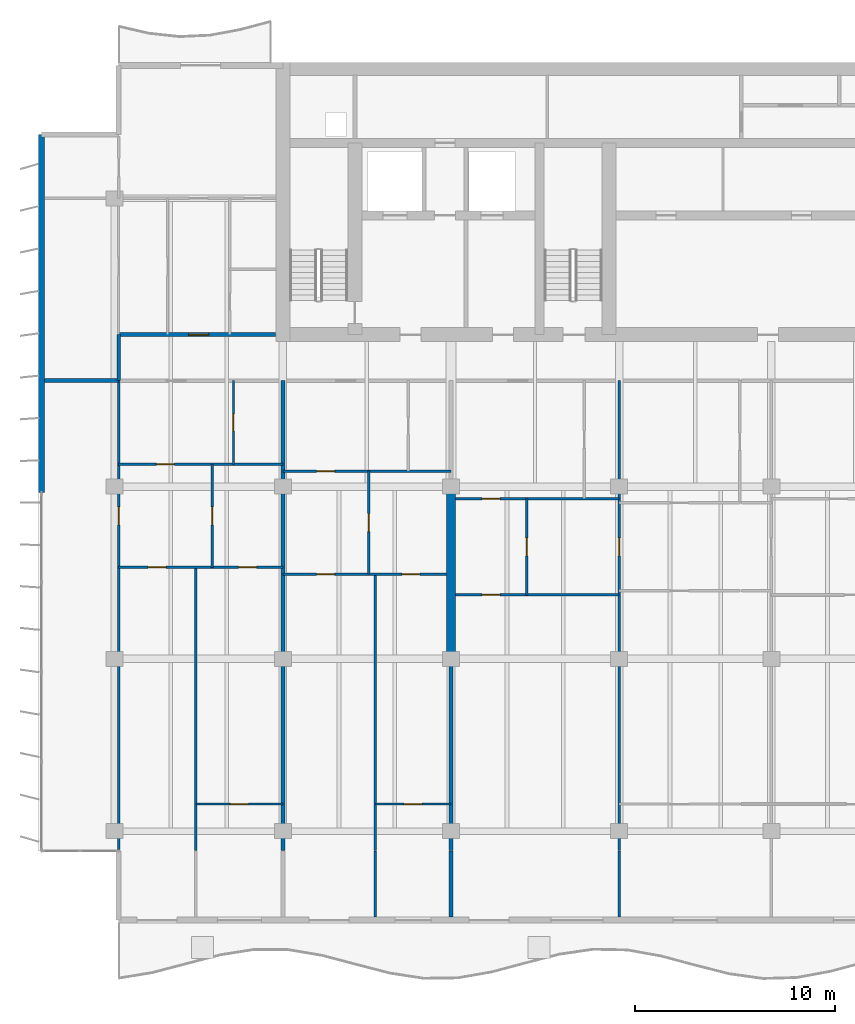
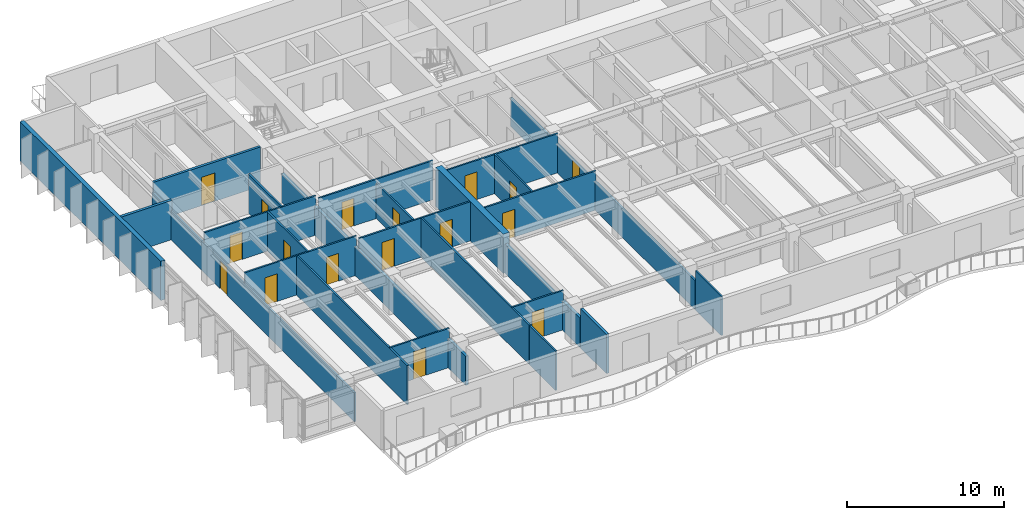
# One storey, part 8 of 17: 26 walls, 17 doors, 17 openings.
"""IFC4 building model written with IfcOpenShell, lengths in metres."""

from ifc_helpers import new_model, si_unit, direction, frame, frame_2d, origin, place, context, subcontext, project, spatial, rectangle, extrude, material, layer, layer_set, type_object, element, fill, save


model = new_model("IFC4")

# Units and contexts
model_context = context("Model", 3, precision=1e-05, world=origin(), true_north=direction((0.0, 1.0)))
body_context = subcontext(model_context, "Body", "Model", "MODEL_VIEW")
ifc_project = project(units=[si_unit("LENGTHUNIT", "METRE"), si_unit("AREAUNIT", "SQUARE_METRE"), si_unit("VOLUMEUNIT", "CUBIC_METRE"), si_unit("PLANEANGLEUNIT", "RADIAN"), si_unit("MASSUNIT", "GRAM", prefix="KILO")], contexts=[model_context])

# Site, building, storey
site_placement = place(None, origin())
site = spatial("IfcSite", under=ifc_project, at=site_placement, CompositionType="ELEMENT")
building_placement = place(site_placement, origin())
building = spatial("IfcBuilding", under=site, at=building_placement, Name="Caelmar Bay Residences", CompositionType="ELEMENT")
storey_placement = place(building_placement, frame((0.0, 0.0, 201.60009765625)))
storey = spatial("IfcBuildingStorey", under=building, at=storey_placement, Name="L56", CompositionType="ELEMENT", Elevation=201.60009765625)

# Walls
ifc_material_1 = material(Name="Concrete f'c 55 MPa (8,000 psi)", Category="concrete")
ifc_layer_1 = layer(ifc_material_1, 0.449951171875)
ifc_layer_set_1 = layer_set([ifc_layer_1], Name="Concrete f'c 55 MPa (8,000 psi)")
wall_type_1 = type_object("IfcWallType", Name="SW-XSLB-450", PredefinedType="SHEAR", material=ifc_layer_set_1)
wall_1_placement = place(storey_placement, frame((26.699951171875, 20.800048828125, 0.0), z_axis=(0.0, 0.0, 1.0), x_axis=(0.0, 1.0, 0.0)))
element("IfcWall", 1, at=wall_1_placement, inside=storey, type_object=wall_type_1, Name="L56 Transverse Cross-Slab Shear Wall W5", PredefinedType="SHEAR", context=body_context, shape_type="SweptSolid", body=[
    extrude(rectangle(XDim=8.599853515625, YDim=0.449951171875, at=frame_2d((4.2998046875, 0.0))), origin(), (0.0, 0.0, 1.0), 3.0498046875),
])
ifc_material_2 = material(Name="Double-stud acoustic fire-rated gypsum partition 180 mm")
ifc_layer_2 = layer(ifc_material_2, 0.179931640625)
ifc_layer_set_2 = layer_set([ifc_layer_2], Name="Double-stud acoustic fire-rated gypsum partition 180 mm")
wall_type_2 = type_object("IfcWallType", Name="W-COR-200", PredefinedType="PARTITIONING", material=ifc_layer_set_2)
wall_2_placement = place(storey_placement, frame((10.10009765625, 34.705078125, 0.0), z_axis=(0.0, 0.0, 1.0), x_axis=(0.0, 1.0, 0.0)))
element("IfcWall", 2, at=wall_2_placement, inside=storey, type_object=wall_type_2, Name="L56 Partition Wall V002", PredefinedType="PARTITIONING", context=body_context, shape_type="SweptSolid", body=[
    extrude(rectangle(XDim=2.294921875, YDim=0.179931640625, at=frame_2d((1.1474609375, 0.0))), origin(), (0.0, 0.0, 1.0), 2.262939453125),
])

# Wall, opening, door
wall_3_placement = place(storey_placement, frame((10.10009765625, 37.0, 0.0), z_axis=(0.0, 0.0, 1.0), x_axis=(1.0, 0.0, 0.0)))
wall_3 = element("IfcWall", 3, at=wall_3_placement, inside=storey, type_object=wall_type_2, Name="L56 Partition Wall H081", PredefinedType="PARTITIONING", context=body_context, shape_type="SweptSolid", body=[
    extrude(rectangle(XDim=7.844970703125, YDim=0.179931640625, at=frame_2d((3.92236328125, 0.0))), origin(), (0.0, 0.0, 1.0), 3.0498046875),
])
opening_1_placement = place(wall_3_placement, frame((3.49609375, 0.0, 0.0)))
opening_1 = element("IfcOpeningElement", 4, at=opening_1_placement, cuts=wall_3, Name="Opening D-L56-164", PredefinedType="OPENING", context=body_context, shape_type="SweptSolid", body=[
    extrude(rectangle(XDim=1.0, YDim=2.199951171875, at=frame_2d((0.5, 1.10009765625))), frame((0.0, 0.099853515625, 0.0), z_axis=(0.0, -1.0, 0.0), x_axis=(1.0, 0.0, 0.0)), (0.0, 0.0, 1.0), 0.199951171875),
])
ifc_material_3 = material(Name="Fire-rated steel and walnut architectural door assembly", Category="steel")
ifc_layer_3 = layer(ifc_material_3, 0.050048828125)
ifc_layer_set_3 = layer_set([ifc_layer_3], Name="Fire-rated steel and walnut architectural door assembly")
door_type_1 = type_object("IfcDoorType", Name="D-UNIT-1000", OperationType="NOTDEFINED", PredefinedType="DOOR", material=ifc_layer_set_3)
door_1_placement = place(opening_1_placement, origin())
door_1 = element("IfcDoor", 5, at=door_1_placement, inside=storey, type_object=door_type_1, Name="L56 Residence WA Kitchen Door", OperationType="SINGLE_SWING_RIGHT", OverallHeight=2.199951171875, OverallWidth=1.0, PredefinedType="DOOR", context=body_context, shape_type="SweptSolid", body=[
    extrude(rectangle(XDim=1.0, YDim=2.199951171875, at=frame_2d((0.5, 1.10009765625))), frame((0.0, 0.02490234375, 0.0), z_axis=(0.0, -1.0, 0.0), x_axis=(1.0, 0.0, 0.0)), (0.0, 0.0, 1.0), 0.050048828125),
])
fill(opening_1, door_1)

# Wall
ifc_material_4 = material(Name="Precast concrete f'c 40 MPa (6,000 psi)", Category="concrete")
ifc_layer_4 = layer(ifc_material_4, 0.300048828125)
ifc_layer_set_4 = layer_set([ifc_layer_4], Name="Precast concrete f'c 40 MPa (6,000 psi)")
wall_type_3 = type_object("IfcWallType", Name="W-EXT-300", PredefinedType="STANDARD", material=ifc_layer_set_4)
wall_4_placement = place(storey_placement, frame((6.25, 29.10009765625, 0.0), z_axis=(0.0, 0.0, 1.0), x_axis=(0.0, 1.0, 0.0)))
element("IfcWall", 6, at=wall_4_placement, inside=storey, type_object=wall_type_3, Name="L56 West Rear Exterior Wall", PredefinedType="STANDARD", context=body_context, shape_type="SweptSolid", body=[
    extrude(rectangle(XDim=17.89990234375, YDim=0.300048828125, at=frame_2d((8.949951171875, 0.0))), origin(), (0.0, 0.0, 1.0), 3.0498046875),
])

# Wall, opening, door
ifc_material_5 = material(Name="Acoustic metal-stud gypsum partition 120 mm")
ifc_layer_5 = layer(ifc_material_5, 0.1201171875)
ifc_layer_set_5 = layer_set([ifc_layer_5], Name="Acoustic metal-stud gypsum partition 120 mm")
wall_type_4 = type_object("IfcWallType", Name="W-PRT-120", PredefinedType="PARTITIONING", material=ifc_layer_set_5)
wall_5_placement = place(storey_placement, frame((10.10009765625, 11.284912109375, 0.0), z_axis=(0.0, 0.0, 1.0), x_axis=(0.0, 1.0, 0.0)))
wall_5 = element("IfcWall", 7, at=wall_5_placement, inside=storey, type_object=wall_type_4, Name="L56 Partition Wall V001", PredefinedType="PARTITIONING", context=body_context, shape_type="SweptSolid", body=[
    extrude(rectangle(XDim=23.4150390625, YDim=0.1201171875, at=frame_2d((11.70751953125, 0.0))), origin(), (0.0, 0.0, 1.0), 2.262939453125),
])
opening_2_placement = place(wall_5_placement, frame((16.2099609375, 0.0, 0.0)))
opening_2 = element("IfcOpeningElement", 8, at=opening_2_placement, cuts=wall_5, Name="Opening D-L56-161", PredefinedType="OPENING", context=body_context, shape_type="SweptSolid", body=[
    extrude(rectangle(XDim=0.89990234375, YDim=2.14990234375, at=frame_2d((0.449951171875, 1.074951171875))), frame((0.0, 0.070068359375, 0.0), z_axis=(0.0, -1.0, 0.0), x_axis=(1.0, 0.0, 0.0)), (0.0, 0.0, 1.0), 0.14013671875),
])
ifc_material_6 = material(Name="Solid walnut timber interior door leaf and frame", Category="wood")
ifc_layer_6 = layer(ifc_material_6, 0.050048828125)
ifc_layer_set_6 = layer_set([ifc_layer_6], Name="Solid walnut timber interior door leaf and frame")
door_type_2 = type_object("IfcDoorType", Name="D-ROOM-900", OperationType="NOTDEFINED", PredefinedType="DOOR", material=ifc_layer_set_6)
door_2_placement = place(opening_2_placement, origin())
door_2 = element("IfcDoor", 9, at=door_2_placement, inside=storey, type_object=door_type_2, Name="L56 Residence 01 Penthouse West Salon Door", OperationType="SINGLE_SWING_LEFT", OverallHeight=2.14990234375, OverallWidth=0.89990234375, PredefinedType="DOOR", context=body_context, shape_type="SweptSolid", body=[
    extrude(rectangle(XDim=0.89990234375, YDim=2.14990234375, at=frame_2d((0.449951171875, 1.074951171875))), frame((0.0, 0.02490234375, 0.0), z_axis=(0.0, -1.0, 0.0), x_axis=(1.0, 0.0, 0.0)), (0.0, 0.0, 1.0), 0.050048828125),
])
fill(opening_2, door_2)

# Wall
wall_6_placement = place(storey_placement, frame((13.9541015625, 11.239990234375, 0.0), z_axis=(0.0, 0.0, 1.0), x_axis=(0.0, 1.0, 0.0)))
element("IfcWall", 10, at=wall_6_placement, inside=storey, type_object=wall_type_4, Name="L56 Partition Wall V007", PredefinedType="PARTITIONING", context=body_context, shape_type="SweptSolid", body=[
    extrude(rectangle(XDim=14.130126953125, YDim=0.1201171875, at=frame_2d((7.06494140625, 0.0))), origin(), (0.0, 0.0, 1.0), 3.0498046875),
])

# Wall, opening, door
wall_7_placement = place(storey_placement, frame((14.778076171875, 25.3701171875, 0.0), z_axis=(0.0, 0.0, 1.0), x_axis=(0.0, 1.0, 0.0)))
wall_7 = element("IfcWall", 11, at=wall_7_placement, inside=storey, type_object=wall_type_4, Name="L56 Partition Wall V008", PredefinedType="PARTITIONING", context=body_context, shape_type="SweptSolid", body=[
    extrude(rectangle(XDim=5.14990234375, YDim=0.1201171875, at=frame_2d((2.574951171875, 0.0))), origin(), (0.0, 0.0, 1.0), 3.0498046875),
])
opening_3_placement = place(wall_7_placement, frame((2.125, 0.0, 0.0)))
opening_3 = element("IfcOpeningElement", 12, at=opening_3_placement, cuts=wall_7, Name="Opening D-L56-125", PredefinedType="OPENING", context=body_context, shape_type="SweptSolid", body=[
    extrude(rectangle(XDim=0.89990234375, YDim=2.14990234375, at=frame_2d((0.449951171875, 1.074951171875))), frame((0.0, 0.070068359375, 0.0), z_axis=(0.0, -1.0, 0.0), x_axis=(1.0, 0.0, 0.0)), (0.0, 0.0, 1.0), 0.14013671875),
])
door_3_placement = place(opening_3_placement, origin())
door_3 = element("IfcDoor", 13, at=door_3_placement, inside=storey, type_object=door_type_2, Name="L56 Residence 01 Study Door", OperationType="SINGLE_SWING_LEFT", OverallHeight=2.14990234375, OverallWidth=0.89990234375, PredefinedType="DOOR", context=body_context, shape_type="SweptSolid", body=[
    extrude(rectangle(XDim=0.89990234375, YDim=2.14990234375, at=frame_2d((0.449951171875, 1.074951171875))), frame((0.0, 0.02490234375, 0.0), z_axis=(0.0, -1.0, 0.0), x_axis=(1.0, 0.0, 0.0)), (0.0, 0.0, 1.0), 0.050048828125),
])
fill(opening_3, door_3)

wall_8_placement = place(storey_placement, frame((15.8359375, 30.52001953125, 0.0), z_axis=(0.0, 0.0, 1.0), x_axis=(0.0, 1.0, 0.0)))
wall_8 = element("IfcWall", 14, at=wall_8_placement, inside=storey, type_object=wall_type_4, Name="L56 Partition Wall V010", PredefinedType="PARTITIONING", context=body_context, shape_type="SweptSolid", body=[
    extrude(rectangle(XDim=4.179931640625, YDim=0.1201171875, at=frame_2d((2.08984375, 0.0))), origin(), (0.0, 0.0, 1.0), 3.0498046875),
])
opening_4_placement = place(wall_8_placement, frame((1.6650390625, 0.0, 0.0)))
opening_4 = element("IfcOpeningElement", 15, at=opening_4_placement, cuts=wall_8, Name="Opening D-L56-123", PredefinedType="OPENING", context=body_context, shape_type="SweptSolid", body=[
    extrude(rectangle(XDim=0.85009765625, YDim=2.10009765625, at=frame_2d((0.425048828125, 1.050048828125))), frame((0.0, 0.070068359375, 0.0), z_axis=(0.0, -1.0, 0.0), x_axis=(1.0, 0.0, 0.0)), (0.0, 0.0, 1.0), 0.14013671875),
])
ifc_layer_7 = layer(ifc_material_6, 0.050048828125)
ifc_layer_set_7 = layer_set([ifc_layer_7], Name="Solid walnut timber interior door leaf and frame")
door_type_3 = type_object("IfcDoorType", Name="D-BATH-850", OperationType="NOTDEFINED", PredefinedType="DOOR", material=ifc_layer_set_7)
door_4_placement = place(opening_4_placement, origin())
door_4 = element("IfcDoor", 16, at=door_4_placement, inside=storey, type_object=door_type_3, Name="L56 Residence 01 Bathroom Door", OperationType="SINGLE_SWING_LEFT", OverallHeight=2.10009765625, OverallWidth=0.85009765625, PredefinedType="DOOR", context=body_context, shape_type="SweptSolid", body=[
    extrude(rectangle(XDim=0.85009765625, YDim=2.10009765625, at=frame_2d((0.425048828125, 1.050048828125))), frame((0.0, 0.02490234375, 0.0), z_axis=(0.0, -1.0, 0.0), x_axis=(1.0, 0.0, 0.0)), (0.0, 0.0, 1.0), 0.050048828125),
])
fill(opening_4, door_4)

wall_9_placement = place(storey_placement, frame((22.5859375, 25.030029296875, 0.0), z_axis=(0.0, 0.0, 1.0), x_axis=(0.0, 1.0, 0.0)))
wall_9 = element("IfcWall", 17, at=wall_9_placement, inside=storey, type_object=wall_type_4, Name="L56 Partition Wall V014", PredefinedType="PARTITIONING", context=body_context, shape_type="SweptSolid", body=[
    extrude(rectangle(XDim=5.14990234375, YDim=0.1201171875, at=frame_2d((2.574951171875, 0.0))), origin(), (0.0, 0.0, 1.0), 2.724853515625),
])
opening_5_placement = place(wall_9_placement, frame((2.125, 0.0, 0.0)))
opening_5 = element("IfcOpeningElement", 18, at=opening_5_placement, cuts=wall_9, Name="Opening D-L56-132", PredefinedType="OPENING", context=body_context, shape_type="SweptSolid", body=[
    extrude(rectangle(XDim=0.89990234375, YDim=2.14990234375, at=frame_2d((0.449951171875, 1.074951171875))), frame((0.0, 0.070068359375, 0.0), z_axis=(0.0, -1.0, 0.0), x_axis=(1.0, 0.0, 0.0)), (0.0, 0.0, 1.0), 0.14013671875),
])
door_5_placement = place(opening_5_placement, origin())
door_5 = element("IfcDoor", 19, at=door_5_placement, inside=storey, type_object=door_type_2, Name="L56 Residence 02 Study Door", OperationType="SINGLE_SWING_RIGHT", OverallHeight=2.14990234375, OverallWidth=0.89990234375, PredefinedType="DOOR", context=body_context, shape_type="SweptSolid", body=[
    extrude(rectangle(XDim=0.89990234375, YDim=2.14990234375, at=frame_2d((0.449951171875, 1.074951171875))), frame((0.0, 0.02490234375, 0.0), z_axis=(0.0, -1.0, 0.0), x_axis=(1.0, 0.0, 0.0)), (0.0, 0.0, 1.0), 0.050048828125),
])
fill(opening_5, door_5)

# Walls
wall_10_placement = place(storey_placement, frame((22.919921875, 7.89501953125, 0.0), z_axis=(0.0, 0.0, 1.0), x_axis=(0.0, 1.0, 0.0)))
element("IfcWall", 20, at=wall_10_placement, inside=storey, type_object=wall_type_4, Name="L56 Partition Wall V015", PredefinedType="PARTITIONING", context=body_context, shape_type="SweptSolid", body=[
    extrude(rectangle(XDim=3.304931640625, YDim=0.1201171875, at=frame_2d((1.65234375, 0.0))), origin(), (0.0, 0.0, 1.0), 3.0498046875),
])
wall_11_placement = place(storey_placement, frame((22.919921875, 11.239990234375, 0.0), z_axis=(0.0, 0.0, 1.0), x_axis=(0.0, 1.0, 0.0)))
element("IfcWall", 21, at=wall_11_placement, inside=storey, type_object=wall_type_4, Name="L56 Partition Wall V016", PredefinedType="PARTITIONING", context=body_context, shape_type="SweptSolid", body=[
    extrude(rectangle(XDim=13.7900390625, YDim=0.1201171875, at=frame_2d((6.89501953125, 0.0))), origin(), (0.0, 0.0, 1.0), 3.0498046875),
])

# Wall, opening, door
wall_12_placement = place(storey_placement, frame((30.47998046875, 24.0, 0.0), z_axis=(0.0, 0.0, 1.0), x_axis=(0.0, 1.0, 0.0)))
wall_12 = element("IfcWall", 22, at=wall_12_placement, inside=storey, type_object=wall_type_4, Name="L56 Partition Wall V024", PredefinedType="PARTITIONING", context=body_context, shape_type="SweptSolid", body=[
    extrude(rectangle(XDim=4.800048828125, YDim=0.1201171875, at=frame_2d((2.39990234375, 0.0))), origin(), (0.0, 0.0, 1.0), 3.0498046875),
])
opening_6_placement = place(wall_12_placement, frame((1.949951171875, 0.0, 0.0)))
opening_6 = element("IfcOpeningElement", 23, at=opening_6_placement, cuts=wall_12, Name="Opening D-L56-139", PredefinedType="OPENING", context=body_context, shape_type="SweptSolid", body=[
    extrude(rectangle(XDim=0.89990234375, YDim=2.14990234375, at=frame_2d((0.449951171875, 1.074951171875))), frame((0.0, 0.070068359375, 0.0), z_axis=(0.0, -1.0, 0.0), x_axis=(1.0, 0.0, 0.0)), (0.0, 0.0, 1.0), 0.14013671875),
])
door_6_placement = place(opening_6_placement, origin())
door_6 = element("IfcDoor", 24, at=door_6_placement, inside=storey, type_object=door_type_2, Name="L56 Residence 03 Kitchen Door", OperationType="SINGLE_SWING_LEFT", OverallHeight=2.14990234375, OverallWidth=0.89990234375, PredefinedType="DOOR", context=body_context, shape_type="SweptSolid", body=[
    extrude(rectangle(XDim=0.89990234375, YDim=2.14990234375, at=frame_2d((0.449951171875, 1.074951171875))), frame((0.0, 0.02490234375, 0.0), z_axis=(0.0, -1.0, 0.0), x_axis=(1.0, 0.0, 0.0)), (0.0, 0.0, 1.0), 0.050048828125),
])
fill(opening_6, door_6)

# Wall
wall_13_placement = place(storey_placement, frame((35.10009765625, 7.89501953125, 0.0), z_axis=(0.0, 0.0, 1.0), x_axis=(0.0, 1.0, 0.0)))
element("IfcWall", 25, at=wall_13_placement, inside=storey, type_object=wall_type_4, Name="L56 Partition Wall V027", PredefinedType="PARTITIONING", context=body_context, shape_type="SweptSolid", body=[
    extrude(rectangle(XDim=3.304931640625, YDim=0.1201171875, at=frame_2d((1.65234375, 0.0))), origin(), (0.0, 0.0, 1.0), 3.0498046875),
])

# Wall, opening, door
wall_14_placement = place(storey_placement, frame((35.10009765625, 11.239990234375, 0.0), z_axis=(0.0, 0.0, 1.0), x_axis=(0.0, 1.0, 0.0)))
wall_14 = element("IfcWall", 26, at=wall_14_placement, inside=storey, type_object=wall_type_4, Name="L56 Partition Wall V028", PredefinedType="PARTITIONING", context=body_context, shape_type="SweptSolid", body=[
    extrude(rectangle(XDim=23.4599609375, YDim=0.1201171875, at=frame_2d((11.72998046875, 0.0))), origin(), (0.0, 0.0, 1.0), 2.262939453125),
])
opening_7_placement = place(wall_14_placement, frame((14.7099609375, 0.0, 0.0)))
opening_7 = element("IfcOpeningElement", 27, at=opening_7_placement, cuts=wall_14, Name="Opening D-L56-141", PredefinedType="OPENING", context=body_context, shape_type="SweptSolid", body=[
    extrude(rectangle(XDim=0.89990234375, YDim=2.14990234375, at=frame_2d((0.449951171875, 1.074951171875))), frame((0.0, 0.070068359375, 0.0), z_axis=(0.0, -1.0, 0.0), x_axis=(1.0, 0.0, 0.0)), (0.0, 0.0, 1.0), 0.14013671875),
])
door_7_placement = place(opening_7_placement, origin())
door_7 = element("IfcDoor", 28, at=door_7_placement, inside=storey, type_object=door_type_2, Name="L56 Residence 03 Family Room 1 Door", OperationType="SINGLE_SWING_LEFT", OverallHeight=2.14990234375, OverallWidth=0.89990234375, PredefinedType="DOOR", context=body_context, shape_type="SweptSolid", body=[
    extrude(rectangle(XDim=0.89990234375, YDim=2.14990234375, at=frame_2d((0.449951171875, 1.074951171875))), frame((0.0, 0.02490234375, 0.0), z_axis=(0.0, -1.0, 0.0), x_axis=(1.0, 0.0, 0.0)), (0.0, 0.0, 1.0), 0.050048828125),
])
fill(opening_7, door_7)

wall_15_placement = place(storey_placement, frame((13.9541015625, 13.550048828125, 0.0), z_axis=(0.0, 0.0, 1.0), x_axis=(1.0, 0.0, 0.0)))
wall_15 = element("IfcWall", 29, at=wall_15_placement, inside=storey, type_object=wall_type_4, Name="L56 Partition Wall H056", PredefinedType="PARTITIONING", context=body_context, shape_type="SweptSolid", body=[
    extrude(rectangle(XDim=4.345947265625, YDim=0.1201171875, at=frame_2d((2.1728515625, 0.0))), origin(), (0.0, 0.0, 1.0), 3.0498046875),
])
opening_8_placement = place(wall_15_placement, frame((1.722900390625, 0.0, 0.0)))
opening_8 = element("IfcOpeningElement", 30, at=opening_8_placement, cuts=wall_15, Name="Opening D-L56-128", PredefinedType="OPENING", context=body_context, shape_type="SweptSolid", body=[
    extrude(rectangle(XDim=0.89990234375, YDim=2.14990234375, at=frame_2d((0.449951171875, 1.074951171875))), frame((0.0, 0.070068359375, 0.0), z_axis=(0.0, -1.0, 0.0), x_axis=(1.0, 0.0, 0.0)), (0.0, 0.0, 1.0), 0.14013671875),
])
door_8_placement = place(opening_8_placement, origin())
door_8 = element("IfcDoor", 31, at=door_8_placement, inside=storey, type_object=door_type_2, Name="L56 Residence 01 Primary Bedroom Door", OperationType="SINGLE_SWING_RIGHT", OverallHeight=2.14990234375, OverallWidth=0.89990234375, PredefinedType="DOOR", context=body_context, shape_type="SweptSolid", body=[
    extrude(rectangle(XDim=0.89990234375, YDim=2.14990234375, at=frame_2d((0.449951171875, 1.074951171875))), frame((0.0, 0.02490234375, 0.0), z_axis=(0.0, -1.0, 0.0), x_axis=(1.0, 0.0, 0.0)), (0.0, 0.0, 1.0), 0.050048828125),
])
fill(opening_8, door_8)

wall_16_placement = place(storey_placement, frame((22.919921875, 13.550048828125, 0.0), z_axis=(0.0, 0.0, 1.0), x_axis=(1.0, 0.0, 0.0)))
wall_16 = element("IfcWall", 32, at=wall_16_placement, inside=storey, type_object=wall_type_4, Name="L56 Partition Wall H057", PredefinedType="PARTITIONING", context=body_context, shape_type="SweptSolid", body=[
    extrude(rectangle(XDim=3.780029296875, YDim=0.1201171875, at=frame_2d((1.89013671875, 0.0))), origin(), (0.0, 0.0, 1.0), 3.0498046875),
])
opening_9_placement = place(wall_16_placement, frame((1.43994140625, 0.0, 0.0)))
opening_9 = element("IfcOpeningElement", 33, at=opening_9_placement, cuts=wall_16, Name="Opening D-L56-135", PredefinedType="OPENING", context=body_context, shape_type="SweptSolid", body=[
    extrude(rectangle(XDim=0.89990234375, YDim=2.14990234375, at=frame_2d((0.449951171875, 1.074951171875))), frame((0.0, 0.070068359375, 0.0), z_axis=(0.0, -1.0, 0.0), x_axis=(1.0, 0.0, 0.0)), (0.0, 0.0, 1.0), 0.14013671875),
])
door_9_placement = place(opening_9_placement, origin())
door_9 = element("IfcDoor", 34, at=door_9_placement, inside=storey, type_object=door_type_2, Name="L56 Residence 02 Primary Bedroom Door", OperationType="SINGLE_SWING_LEFT", OverallHeight=2.14990234375, OverallWidth=0.89990234375, PredefinedType="DOOR", context=body_context, shape_type="SweptSolid", body=[
    extrude(rectangle(XDim=0.89990234375, YDim=2.14990234375, at=frame_2d((0.449951171875, 1.074951171875))), frame((0.0, 0.02490234375, 0.0), z_axis=(0.0, -1.0, 0.0), x_axis=(1.0, 0.0, 0.0)), (0.0, 0.0, 1.0), 0.050048828125),
])
fill(opening_9, door_9)

wall_17_placement = place(storey_placement, frame((26.919921875, 24.0, 0.0), z_axis=(0.0, 0.0, 1.0), x_axis=(1.0, 0.0, 0.0)))
wall_17 = element("IfcWall", 35, at=wall_17_placement, inside=storey, type_object=wall_type_4, Name="L56 Partition Wall H061", PredefinedType="PARTITIONING", context=body_context, shape_type="SweptSolid", body=[
    extrude(rectangle(XDim=8.18017578125, YDim=0.1201171875, at=frame_2d((4.090087890625, 0.0))), origin(), (0.0, 0.0, 1.0), 3.0498046875),
])
opening_10_placement = place(wall_17_placement, frame((1.330078125, 0.0, 0.0)))
opening_10 = element("IfcOpeningElement", 36, at=opening_10_placement, cuts=wall_17, Name="Opening D-L56-140", PredefinedType="OPENING", context=body_context, shape_type="SweptSolid", body=[
    extrude(rectangle(XDim=0.89990234375, YDim=2.14990234375, at=frame_2d((0.449951171875, 1.074951171875))), frame((0.0, 0.070068359375, 0.0), z_axis=(0.0, -1.0, 0.0), x_axis=(1.0, 0.0, 0.0)), (0.0, 0.0, 1.0), 0.14013671875),
])
door_10_placement = place(opening_10_placement, origin())
door_10 = element("IfcDoor", 37, at=door_10_placement, inside=storey, type_object=door_type_2, Name="L56 Residence 03 Penthouse Living Salon Door", OperationType="SINGLE_SWING_RIGHT", OverallHeight=2.14990234375, OverallWidth=0.89990234375, PredefinedType="DOOR", context=body_context, shape_type="SweptSolid", body=[
    extrude(rectangle(XDim=0.89990234375, YDim=2.14990234375, at=frame_2d((0.449951171875, 1.074951171875))), frame((0.0, 0.02490234375, 0.0), z_axis=(0.0, -1.0, 0.0), x_axis=(1.0, 0.0, 0.0)), (0.0, 0.0, 1.0), 0.050048828125),
])
fill(opening_10, door_10)

# Wall, openings, doors
wall_18_placement = place(storey_placement, frame((18.300048828125, 25.030029296875, 0.0), z_axis=(0.0, 0.0, 1.0), x_axis=(1.0, 0.0, 0.0)))
wall_18 = element("IfcWall", 38, at=wall_18_placement, inside=storey, type_object=wall_type_4, Name="L56 Partition Wall H067", PredefinedType="PARTITIONING", context=body_context, shape_type="SweptSolid", body=[
    extrude(rectangle(XDim=8.179931640625, YDim=0.1201171875, at=frame_2d((4.08984375, 0.0))), origin(), (0.0, 0.0, 1.0), 3.0498046875),
])
opening_11_placement = place(wall_18_placement, frame((1.693115234375, 0.0, 0.0)))
opening_11 = element("IfcOpeningElement", 39, at=opening_11_placement, cuts=wall_18, Name="Opening D-L56-133", PredefinedType="OPENING", context=body_context, shape_type="SweptSolid", body=[
    extrude(rectangle(XDim=0.89990234375, YDim=2.14990234375, at=frame_2d((0.449951171875, 1.074951171875))), frame((0.0, 0.070068359375, 0.0), z_axis=(0.0, -1.0, 0.0), x_axis=(1.0, 0.0, 0.0)), (0.0, 0.0, 1.0), 0.14013671875),
])
opening_12_placement = place(wall_18_placement, frame((5.949951171875, 0.0, 0.0)))
opening_12 = element("IfcOpeningElement", 40, at=opening_12_placement, cuts=wall_18, Name="Opening D-L56-134", PredefinedType="OPENING", context=body_context, shape_type="SweptSolid", body=[
    extrude(rectangle(XDim=0.89990234375, YDim=2.14990234375, at=frame_2d((0.449951171875, 1.074951171875))), frame((0.0, 0.070068359375, 0.0), z_axis=(0.0, -1.0, 0.0), x_axis=(1.0, 0.0, 0.0)), (0.0, 0.0, 1.0), 0.14013671875),
])
door_11_placement = place(opening_11_placement, origin())
door_11 = element("IfcDoor", 41, at=door_11_placement, inside=storey, type_object=door_type_2, Name="L56 Residence 02 Penthouse Living Salon Door", OperationType="SINGLE_SWING_LEFT", OverallHeight=2.14990234375, OverallWidth=0.89990234375, PredefinedType="DOOR", context=body_context, shape_type="SweptSolid", body=[
    extrude(rectangle(XDim=0.89990234375, YDim=2.14990234375, at=frame_2d((0.449951171875, 1.074951171875))), frame((0.0, 0.02490234375, 0.0), z_axis=(0.0, -1.0, 0.0), x_axis=(1.0, 0.0, 0.0)), (0.0, 0.0, 1.0), 0.050048828125),
])
fill(opening_11, door_11)
door_12_placement = place(opening_12_placement, origin())
door_12 = element("IfcDoor", 42, at=door_12_placement, inside=storey, type_object=door_type_2, Name="L56 Residence 02 Penthouse Sitting Room Door", OperationType="SINGLE_SWING_RIGHT", OverallHeight=2.14990234375, OverallWidth=0.89990234375, PredefinedType="DOOR", context=body_context, shape_type="SweptSolid", body=[
    extrude(rectangle(XDim=0.89990234375, YDim=2.14990234375, at=frame_2d((0.449951171875, 1.074951171875))), frame((0.0, 0.02490234375, 0.0), z_axis=(0.0, -1.0, 0.0), x_axis=(1.0, 0.0, 0.0)), (0.0, 0.0, 1.0), 0.050048828125),
])
fill(opening_12, door_12)

wall_19_placement = place(storey_placement, frame((10.10009765625, 25.3701171875, 0.0), z_axis=(0.0, 0.0, 1.0), x_axis=(1.0, 0.0, 0.0)))
wall_19 = element("IfcWall", 43, at=wall_19_placement, inside=storey, type_object=wall_type_4, Name="L56 Partition Wall H068", PredefinedType="PARTITIONING", context=body_context, shape_type="SweptSolid", body=[
    extrude(rectangle(XDim=8.199951171875, YDim=0.1201171875, at=frame_2d((4.10009765625, 0.0))), origin(), (0.0, 0.0, 1.0), 3.0498046875),
])
opening_13_placement = place(wall_19_placement, frame((1.47705078125, 0.0, 0.0)))
opening_13 = element("IfcOpeningElement", 44, at=opening_13_placement, cuts=wall_19, Name="Opening D-L56-126", PredefinedType="OPENING", context=body_context, shape_type="SweptSolid", body=[
    extrude(rectangle(XDim=0.89990234375, YDim=2.14990234375, at=frame_2d((0.449951171875, 1.074951171875))), frame((0.0, 0.070068359375, 0.0), z_axis=(0.0, -1.0, 0.0), x_axis=(1.0, 0.0, 0.0)), (0.0, 0.0, 1.0), 0.14013671875),
])
opening_14_placement = place(wall_19_placement, frame((5.989013671875, 0.0, 0.0)))
opening_14 = element("IfcOpeningElement", 45, at=opening_14_placement, cuts=wall_19, Name="Opening D-L56-127", PredefinedType="OPENING", context=body_context, shape_type="SweptSolid", body=[
    extrude(rectangle(XDim=0.89990234375, YDim=2.14990234375, at=frame_2d((0.449951171875, 1.074951171875))), frame((0.0, 0.070068359375, 0.0), z_axis=(0.0, -1.0, 0.0), x_axis=(1.0, 0.0, 0.0)), (0.0, 0.0, 1.0), 0.14013671875),
])
door_13_placement = place(opening_13_placement, origin())
door_13 = element("IfcDoor", 46, at=door_13_placement, inside=storey, type_object=door_type_2, Name="L56 Residence 01 Living Room Door", OperationType="SINGLE_SWING_RIGHT", OverallHeight=2.14990234375, OverallWidth=0.89990234375, PredefinedType="DOOR", context=body_context, shape_type="SweptSolid", body=[
    extrude(rectangle(XDim=0.89990234375, YDim=2.14990234375, at=frame_2d((0.449951171875, 1.074951171875))), frame((0.0, 0.02490234375, 0.0), z_axis=(0.0, -1.0, 0.0), x_axis=(1.0, 0.0, 0.0)), (0.0, 0.0, 1.0), 0.050048828125),
])
fill(opening_13, door_13)
door_14_placement = place(opening_14_placement, origin())
door_14 = element("IfcDoor", 47, at=door_14_placement, inside=storey, type_object=door_type_2, Name="L56 Residence 01 Penthouse Sitting Room Door", OperationType="SINGLE_SWING_LEFT", OverallHeight=2.14990234375, OverallWidth=0.89990234375, PredefinedType="DOOR", context=body_context, shape_type="SweptSolid", body=[
    extrude(rectangle(XDim=0.89990234375, YDim=2.14990234375, at=frame_2d((0.449951171875, 1.074951171875))), frame((0.0, 0.02490234375, 0.0), z_axis=(0.0, -1.0, 0.0), x_axis=(1.0, 0.0, 0.0)), (0.0, 0.0, 1.0), 0.050048828125),
])
fill(opening_14, door_14)

# Wall, opening, door
wall_20_placement = place(storey_placement, frame((26.919921875, 28.800048828125, 0.0), z_axis=(0.0, 0.0, 1.0), x_axis=(1.0, 0.0, 0.0)))
wall_20 = element("IfcWall", 48, at=wall_20_placement, inside=storey, type_object=wall_type_4, Name="L56 Partition Wall H072", PredefinedType="PARTITIONING", context=body_context, shape_type="SweptSolid", body=[
    extrude(rectangle(XDim=8.175048828125, YDim=0.1201171875, at=frame_2d((4.08740234375, 0.0))), origin(), (0.0, 0.0, 1.0), 3.0498046875),
])
opening_15_placement = place(wall_20_placement, frame((1.330078125, 0.0, 0.0)))
opening_15 = element("IfcOpeningElement", 49, at=opening_15_placement, cuts=wall_20, Name="Opening D-L56-138", PredefinedType="OPENING", context=body_context, shape_type="SweptSolid", body=[
    extrude(rectangle(XDim=0.89990234375, YDim=2.14990234375, at=frame_2d((0.449951171875, 1.074951171875))), frame((0.0, 0.070068359375, 0.0), z_axis=(0.0, -1.0, 0.0), x_axis=(1.0, 0.0, 0.0)), (0.0, 0.0, 1.0), 0.14013671875),
])
door_15_placement = place(opening_15_placement, origin())
door_15 = element("IfcDoor", 50, at=door_15_placement, inside=storey, type_object=door_type_2, Name="L56 Residence 03 Dining Room Door", OperationType="SINGLE_SWING_RIGHT", OverallHeight=2.14990234375, OverallWidth=0.89990234375, PredefinedType="DOOR", context=body_context, shape_type="SweptSolid", body=[
    extrude(rectangle(XDim=0.89990234375, YDim=2.14990234375, at=frame_2d((0.449951171875, 1.074951171875))), frame((0.0, 0.02490234375, 0.0), z_axis=(0.0, -1.0, 0.0), x_axis=(1.0, 0.0, 0.0)), (0.0, 0.0, 1.0), 0.050048828125),
])
fill(opening_15, door_15)

wall_21_placement = place(storey_placement, frame((18.300048828125, 30.179931640625, 0.0), z_axis=(0.0, 0.0, 1.0), x_axis=(1.0, 0.0, 0.0)))
wall_21 = element("IfcWall", 51, at=wall_21_placement, inside=storey, type_object=wall_type_4, Name="L56 Partition Wall H075", PredefinedType="PARTITIONING", context=body_context, shape_type="SweptSolid", body=[
    extrude(rectangle(XDim=8.39990234375, YDim=0.1201171875, at=frame_2d((4.199951171875, 0.0))), origin(), (0.0, 0.0, 1.0), 3.0498046875),
])
opening_16_placement = place(wall_21_placement, frame((1.693115234375, 0.0, 0.0)))
opening_16 = element("IfcOpeningElement", 52, at=opening_16_placement, cuts=wall_21, Name="Opening D-L56-131", PredefinedType="OPENING", context=body_context, shape_type="SweptSolid", body=[
    extrude(rectangle(XDim=0.89990234375, YDim=2.14990234375, at=frame_2d((0.449951171875, 1.074951171875))), frame((0.0, 0.070068359375, 0.0), z_axis=(0.0, -1.0, 0.0), x_axis=(1.0, 0.0, 0.0)), (0.0, 0.0, 1.0), 0.14013671875),
])
door_16_placement = place(opening_16_placement, origin())
door_16 = element("IfcDoor", 53, at=door_16_placement, inside=storey, type_object=door_type_2, Name="L56 Residence 02 Kitchen Door", OperationType="SINGLE_SWING_LEFT", OverallHeight=2.14990234375, OverallWidth=0.89990234375, PredefinedType="DOOR", context=body_context, shape_type="SweptSolid", body=[
    extrude(rectangle(XDim=0.89990234375, YDim=2.14990234375, at=frame_2d((0.449951171875, 1.074951171875))), frame((0.0, 0.02490234375, 0.0), z_axis=(0.0, -1.0, 0.0), x_axis=(1.0, 0.0, 0.0)), (0.0, 0.0, 1.0), 0.050048828125),
])
fill(opening_16, door_16)

wall_22_placement = place(storey_placement, frame((10.10009765625, 30.52001953125, 0.0), z_axis=(0.0, 0.0, 1.0), x_axis=(1.0, 0.0, 0.0)))
wall_22 = element("IfcWall", 54, at=wall_22_placement, inside=storey, type_object=wall_type_4, Name="L56 Partition Wall H076", PredefinedType="PARTITIONING", context=body_context, shape_type="SweptSolid", body=[
    extrude(rectangle(XDim=8.199951171875, YDim=0.1201171875, at=frame_2d((4.10009765625, 0.0))), origin(), (0.0, 0.0, 1.0), 3.0498046875),
])
opening_17_placement = place(wall_22_placement, frame((1.888916015625, 0.0, 0.0)))
opening_17 = element("IfcOpeningElement", 55, at=opening_17_placement, cuts=wall_22, Name="Opening D-L56-124", PredefinedType="OPENING", context=body_context, shape_type="SweptSolid", body=[
    extrude(rectangle(XDim=0.89990234375, YDim=2.14990234375, at=frame_2d((0.449951171875, 1.074951171875))), frame((0.0, 0.070068359375, 0.0), z_axis=(0.0, -1.0, 0.0), x_axis=(1.0, 0.0, 0.0)), (0.0, 0.0, 1.0), 0.14013671875),
])
door_17_placement = place(opening_17_placement, origin())
door_17 = element("IfcDoor", 56, at=door_17_placement, inside=storey, type_object=door_type_2, Name="L56 Residence 01 Kitchen Door", OperationType="SINGLE_SWING_RIGHT", OverallHeight=2.14990234375, OverallWidth=0.89990234375, PredefinedType="DOOR", context=body_context, shape_type="SweptSolid", body=[
    extrude(rectangle(XDim=0.89990234375, YDim=2.14990234375, at=frame_2d((0.449951171875, 1.074951171875))), frame((0.0, 0.02490234375, 0.0), z_axis=(0.0, -1.0, 0.0), x_axis=(1.0, 0.0, 0.0)), (0.0, 0.0, 1.0), 0.050048828125),
])
fill(opening_17, door_17)

# Walls
ifc_material_7 = material(Name="Acoustic twin-stud fire-rated inter-tenancy partition 200 mm")
ifc_layer_8 = layer(ifc_material_7, 0.199951171875)
ifc_layer_set_8 = layer_set([ifc_layer_8], Name="Acoustic twin-stud fire-rated inter-tenancy partition 200 mm")
wall_type_5 = type_object("IfcWallType", Name="W-PTY-200", PredefinedType="PARTITIONING", material=ifc_layer_set_8)
wall_23_placement = place(storey_placement, frame((18.300048828125, 11.239990234375, 0.0), z_axis=(0.0, 0.0, 1.0), x_axis=(0.0, 1.0, 0.0)))
element("IfcWall", 57, at=wall_23_placement, inside=storey, type_object=wall_type_5, Name="L56 Partition Wall V012", PredefinedType="PARTITIONING", context=body_context, shape_type="SweptSolid", body=[
    extrude(rectangle(XDim=23.4599609375, YDim=0.199951171875, at=frame_2d((11.72998046875, 0.0))), origin(), (0.0, 0.0, 1.0), 2.262939453125),
])
wall_24_placement = place(storey_placement, frame((26.699951171875, 7.89501953125, 0.0), z_axis=(0.0, 0.0, 1.0), x_axis=(0.0, 1.0, 0.0)))
element("IfcWall", 58, at=wall_24_placement, inside=storey, type_object=wall_type_5, Name="L56 Partition Wall V019", PredefinedType="PARTITIONING", context=body_context, shape_type="SweptSolid", body=[
    extrude(rectangle(XDim=3.304931640625, YDim=0.199951171875, at=frame_2d((1.65234375, 0.0))), origin(), (0.0, 0.0, 1.0), 3.0498046875),
])
wall_25_placement = place(storey_placement, frame((26.699951171875, 11.239990234375, 0.0), z_axis=(0.0, 0.0, 1.0), x_axis=(0.0, 1.0, 0.0)))
element("IfcWall", 59, at=wall_25_placement, inside=storey, type_object=wall_type_5, Name="L56 Partition Wall V020", PredefinedType="PARTITIONING", context=body_context, shape_type="SweptSolid", body=[
    extrude(rectangle(XDim=9.554931640625, YDim=0.199951171875, at=frame_2d((4.77734375, 0.0))), origin(), (0.0, 0.0, 1.0), 2.262939453125),
])
wall_26_placement = place(storey_placement, frame((6.39501953125, 34.699951171875, 0.0), z_axis=(0.0, 0.0, 1.0), x_axis=(1.0, 0.0, 0.0)))
element("IfcWall", 60, at=wall_26_placement, inside=storey, type_object=wall_type_5, Name="L56 Partition Wall H077", PredefinedType="PARTITIONING", context=body_context, shape_type="SweptSolid", body=[
    extrude(rectangle(XDim=3.705078125, YDim=0.199951171875, at=frame_2d((1.8525390625, 0.0))), origin(), (0.0, 0.0, 1.0), 3.0498046875),
])

save(model, "model.ifc")
